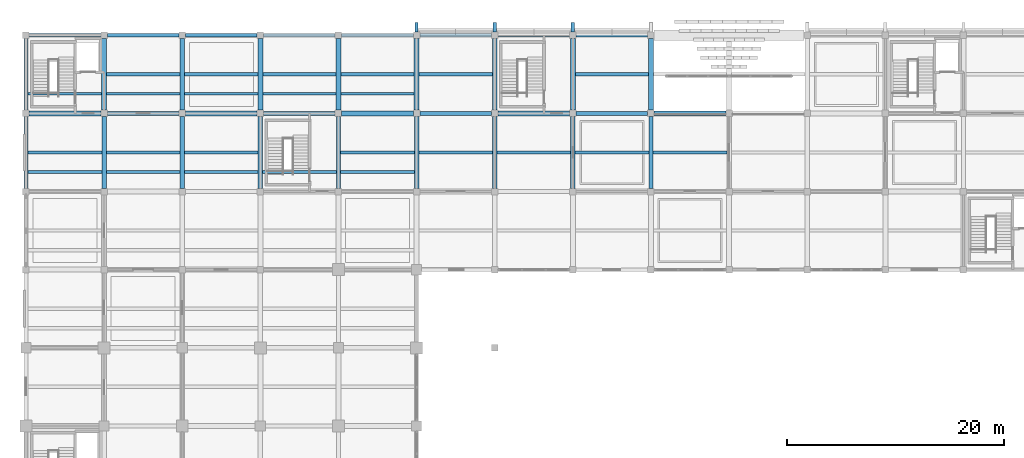
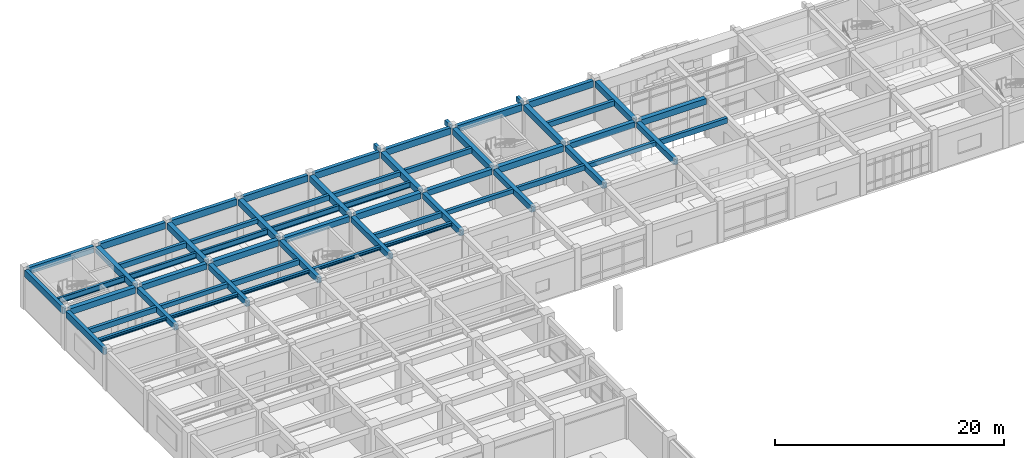
# One storey, part 19 of 81: 62 beams.
"""IFC4 building model written with IfcOpenShell, lengths in metres."""

from ifc_helpers import new_model, si_unit, direction, frame, origin, origin_2d, place, context, subcontext, project, spatial, rectangle, i_section, extrude, material, material_profile, profile_set, type_object, element, save


model = new_model("IFC4")

# Units and contexts
model_context = context("Model", 3, precision=1e-05, world=origin(), true_north=direction((0.0, 1.0)))
body_context = subcontext(model_context, "Body", "Model", "MODEL_VIEW")
ifc_project = project(units=[si_unit("LENGTHUNIT", "METRE"), si_unit("AREAUNIT", "SQUARE_METRE"), si_unit("VOLUMEUNIT", "CUBIC_METRE"), si_unit("PLANEANGLEUNIT", "RADIAN"), si_unit("MASSUNIT", "GRAM", prefix="KILO")], contexts=[model_context])

# Site, building, storey
site_placement = place(None, origin())
site = spatial("IfcSite", under=ifc_project, at=site_placement, CompositionType="ELEMENT")
building_placement = place(site_placement, origin())
building = spatial("IfcBuilding", under=site, at=building_placement, Name="Kavelor Marine Aquarium", CompositionType="ELEMENT")
storey_placement = place(building_placement, frame((0.0, 0.0, 4.679931640625)))
storey = spatial("IfcBuildingStorey", under=building, at=storey_placement, Name="L01", CompositionType="ELEMENT", Elevation=4.679931640625)

# Beams
ifc_material_1 = material(Name="Concrete C40/50", Category="concrete")
ifc_material_profile_1 = material_profile(ifc_material_1, rectangle(XDim=0.449951171875, YDim=0.64990234375, at=origin_2d()), Name="RC-BM 450x650")
ifc_profile_set_1 = profile_set([ifc_material_profile_1], Name="Concrete C40/50")
beam_type_1 = type_object("IfcBeamType", Name="BM-B3", PredefinedType="BEAM", material=ifc_profile_set_1)
for number, where, z_axis, x_axis, name in (
    (1, (3.5, 103.60009765625, 3.875), (1.0, 0.0, 0.0), (0.0, 1.0, 0.0), "bm:x:L01:L02:00_14"),
    (2, (17.89990234375, 103.60009765625, 3.875), (1.0, 0.0, 0.0), (0.0, 1.0, 0.0), "bm:x:L01:L02:02_14"),
):
    element("IfcBeam", number, at=place(storey_placement, frame(where, z_axis=z_axis, x_axis=x_axis)), inside=storey, type_object=beam_type_1, Name=name, PredefinedType="BEAM", context=body_context, shape_type="SweptSolid", body=[
        extrude(rectangle(XDim=0.449951171875, YDim=0.64990234375, at=origin_2d()), origin(), (0.0, 0.0, 1.0), 6.60009765625),
    ])
beam_1_placement = place(storey_placement, frame((32.300048828125, 103.60009765625, 3.875), z_axis=(1.0, 0.0, 0.0), x_axis=(0.0, 1.0, 0.0)))
element("IfcBeam", 3, at=beam_1_placement, inside=storey, type_object=beam_type_1, Name="bm:x:L01:L02:04_14", PredefinedType="BEAM", context=body_context, shape_type="SweptSolid", body=[
    extrude(rectangle(XDim=0.449951171875, YDim=0.64990234375, at=origin_2d()), origin(), (0.0, 0.0, 1.0), 6.599853515625),
])
beam_2_placement = place(storey_placement, frame((46.699951171875, 103.60009765625, 3.875), z_axis=(1.0, 0.0, 0.0), x_axis=(0.0, 1.0, 0.0)))
element("IfcBeam", 4, at=beam_2_placement, inside=storey, type_object=beam_type_1, Name="bm:x:L01:L02:06_14", PredefinedType="BEAM", context=body_context, shape_type="SweptSolid", body=[
    extrude(rectangle(XDim=0.449951171875, YDim=0.64990234375, at=origin_2d()), origin(), (0.0, 0.0, 1.0), 6.60009765625),
])
beam_3_placement = place(storey_placement, frame((61.10009765625, 103.60009765625, 3.875), z_axis=(1.0, 0.0, 0.0), x_axis=(0.0, 1.0, 0.0)))
element("IfcBeam", 5, at=beam_3_placement, inside=storey, type_object=beam_type_1, Name="bm:x:L01:L02:08_14", PredefinedType="BEAM", context=body_context, shape_type="SweptSolid", body=[
    extrude(rectangle(XDim=0.449951171875, YDim=0.64990234375, at=origin_2d()), origin(), (0.0, 0.0, 1.0), 6.599853515625),
])
for number, where, z_axis, x_axis, name in (
    (6, (10.39990234375, 103.89990234375, 3.875), (0.0, 1.0, 0.0), (-1.0, 0.0, 0.0), "bm:y:L01:L02:01_14"),
    (7, (17.60009765625, 103.89990234375, 3.875), (0.0, 1.0, 0.0), (-1.0, 0.0, 0.0), "bm:y:L01:L02:02_14"),
    (8, (24.800048828125, 103.89990234375, 3.875), (0.0, 1.0, 0.0), (-1.0, 0.0, 0.0), "bm:y:L01:L02:03_14"),
    (9, (32.0, 103.89990234375, 3.875), (0.0, 1.0, 0.0), (-1.0, 0.0, 0.0), "bm:y:L01:L02:04_14"),
    (10, (39.199951171875, 103.89990234375, 3.875), (0.0, 1.0, 0.0), (-1.0, 0.0, 0.0), "bm:y:L01:L02:05_14"),
    (11, (46.39990234375, 103.89990234375, 3.875), (0.0, 1.0, 0.0), (-1.0, 0.0, 0.0), "bm:y:L01:L02:06_14"),
    (12, (53.60009765625, 103.89990234375, 3.875), (0.0, 1.0, 0.0), (-1.0, 0.0, 0.0), "bm:y:L01:L02:07_14"),
    (13, (60.800048828125, 103.89990234375, 3.875), (0.0, 1.0, 0.0), (-1.0, 0.0, 0.0), "bm:y:L01:L02:08_14"),
):
    element("IfcBeam", number, at=place(storey_placement, frame(where, z_axis=z_axis, x_axis=x_axis)), inside=storey, type_object=beam_type_1, Name=name, PredefinedType="BEAM", context=body_context, shape_type="SweptSolid", body=[
        extrude(rectangle(XDim=0.449951171875, YDim=0.64990234375, at=origin_2d()), origin(), (0.0, 0.0, 1.0), 6.60009765625),
    ])
ifc_material_2 = material(Name="Concrete C40/50", Category="concrete")
ifc_material_profile_2 = material_profile(ifc_material_2, rectangle(XDim=0.39990234375, YDim=0.60009765625, at=origin_2d()), Name="RC-BM 400x600")
ifc_profile_set_2 = profile_set([ifc_material_profile_2], Name="Concrete C40/50")
beam_type_2 = type_object("IfcBeamType", Name="BM-B4", PredefinedType="BEAM", material=ifc_profile_set_2)
beam_4_placement = place(storey_placement, frame((10.699951171875, 103.60009765625, 3.900146484375), z_axis=(1.0, 0.0, 0.0), x_axis=(0.0, 1.0, 0.0)))
element("IfcBeam", 14, at=beam_4_placement, inside=storey, type_object=beam_type_2, Name="bm:x:L01:L02:01_14", PredefinedType="BEAM", context=body_context, shape_type="SweptSolid", body=[
    extrude(rectangle(XDim=0.39990234375, YDim=0.60009765625, at=origin_2d()), origin(), (0.0, 0.0, 1.0), 6.60009765625),
])
beam_5_placement = place(storey_placement, frame((25.10009765625, 103.60009765625, 3.900146484375), z_axis=(1.0, 0.0, 0.0), x_axis=(0.0, 1.0, 0.0)))
element("IfcBeam", 15, at=beam_5_placement, inside=storey, type_object=beam_type_2, Name="bm:x:L01:L02:03_14", PredefinedType="BEAM", context=body_context, shape_type="SweptSolid", body=[
    extrude(rectangle(XDim=0.39990234375, YDim=0.60009765625, at=origin_2d()), origin(), (0.0, 0.0, 1.0), 6.599853515625),
])
for number, where, z_axis, x_axis, name in (
    (16, (39.5, 103.60009765625, 3.900146484375), (1.0, 0.0, 0.0), (0.0, 1.0, 0.0), "bm:x:L01:L02:05_14"),
    (17, (53.89990234375, 103.60009765625, 3.900146484375), (1.0, 0.0, 0.0), (0.0, 1.0, 0.0), "bm:x:L01:L02:07_14"),
    (18, (10.39990234375, 96.699951171875, 3.900146484375), (0.0, 1.0, 0.0), (-1.0, 0.0, 0.0), "bm:y:L01:L02:01_13"),
    (19, (17.60009765625, 96.699951171875, 3.900146484375), (0.0, 1.0, 0.0), (-1.0, 0.0, 0.0), "bm:y:L01:L02:02_13"),
    (20, (24.800048828125, 96.699951171875, 3.900146484375), (0.0, 1.0, 0.0), (-1.0, 0.0, 0.0), "bm:y:L01:L02:03_13"),
    (21, (32.0, 96.699951171875, 3.900146484375), (0.0, 1.0, 0.0), (-1.0, 0.0, 0.0), "bm:y:L01:L02:04_13"),
    (22, (39.199951171875, 96.699951171875, 3.900146484375), (0.0, 1.0, 0.0), (-1.0, 0.0, 0.0), "bm:y:L01:L02:05_13"),
    (23, (46.39990234375, 96.699951171875, 3.900146484375), (0.0, 1.0, 0.0), (-1.0, 0.0, 0.0), "bm:y:L01:L02:06_13"),
    (24, (53.60009765625, 96.699951171875, 3.900146484375), (0.0, 1.0, 0.0), (-1.0, 0.0, 0.0), "bm:y:L01:L02:07_13"),
    (25, (60.800048828125, 96.699951171875, 3.900146484375), (0.0, 1.0, 0.0), (-1.0, 0.0, 0.0), "bm:y:L01:L02:08_13"),
):
    element("IfcBeam", number, at=place(storey_placement, frame(where, z_axis=z_axis, x_axis=x_axis)), inside=storey, type_object=beam_type_2, Name=name, PredefinedType="BEAM", context=body_context, shape_type="SweptSolid", body=[
        extrude(rectangle(XDim=0.39990234375, YDim=0.60009765625, at=origin_2d()), origin(), (0.0, 0.0, 1.0), 6.60009765625),
    ])
ifc_material_3 = material(Name="Concrete C40/50", Category="concrete")
ifc_material_profile_3 = material_profile(ifc_material_3, rectangle(XDim=0.300048828125, YDim=0.449951171875, at=origin_2d()), Name="RC-JS 300x450")
ifc_profile_set_3 = profile_set([ifc_material_profile_3], Name="Concrete C40/50")
beam_type_3 = type_object("IfcBeamType", Name="BM-JS1", PredefinedType="JOIST", material=ifc_profile_set_3)
beam_6_placement = place(storey_placement, frame((10.60009765625, 100.0, 3.97509765625), z_axis=(1.0, 0.0, 0.0), x_axis=(0.0, 1.0, 0.0)))
element("IfcBeam", 26, at=beam_6_placement, inside=storey, type_object=beam_type_3, Name="js:L01:L02:01_13", PredefinedType="JOIST", context=body_context, shape_type="SweptSolid", body=[
    extrude(rectangle(XDim=0.300048828125, YDim=0.449951171875, at=origin_2d()), origin(), (0.0, 0.0, 1.0), 6.7998046875),
])
for number, where, z_axis, x_axis, name in (
    (27, (17.824951171875, 107.199951171875, 3.97509765625), (1.0, 0.0, 0.0), (0.0, 1.0, 0.0), "js:L01:L02:02_14"),
    (28, (32.22509765625, 107.199951171875, 3.97509765625), (1.0, 0.0, 0.0), (0.0, 1.0, 0.0), "js:L01:L02:04_14"),
):
    element("IfcBeam", number, at=place(storey_placement, frame(where, z_axis=z_axis, x_axis=x_axis)), inside=storey, type_object=beam_type_3, Name=name, PredefinedType="JOIST", context=body_context, shape_type="SweptSolid", body=[
        extrude(rectangle(XDim=0.300048828125, YDim=0.449951171875, at=origin_2d()), origin(), (0.0, 0.0, 1.0), 6.75),
    ])
for number, where, z_axis, x_axis, name in (
    (29, (39.39990234375, 100.0, 3.97509765625), (1.0, 0.0, 0.0), (0.0, 1.0, 0.0), "js:L01:L02:05_13"),
    (30, (53.800048828125, 100.0, 3.97509765625), (1.0, 0.0, 0.0), (0.0, 1.0, 0.0), "js:L01:L02:07_13"),
):
    element("IfcBeam", number, at=place(storey_placement, frame(where, z_axis=z_axis, x_axis=x_axis)), inside=storey, type_object=beam_type_3, Name=name, PredefinedType="JOIST", context=body_context, shape_type="SweptSolid", body=[
        extrude(rectangle(XDim=0.300048828125, YDim=0.449951171875, at=origin_2d()), origin(), (0.0, 0.0, 1.0), 6.800048828125),
    ])
ifc_material_4 = material(Name="Concrete C40/50", Category="concrete")
ifc_material_profile_4 = material_profile(ifc_material_4, rectangle(XDim=0.300048828125, YDim=0.550048828125, at=origin_2d()), Name="RC-JS 300x550")
ifc_profile_set_4 = profile_set([ifc_material_profile_4], Name="Concrete C40/50")
beam_type_4 = type_object("IfcBeamType", Name="BM-JS2", PredefinedType="JOIST", material=ifc_profile_set_4)
beam_7_placement = place(storey_placement, frame((3.375, 100.0, 3.945068359375), z_axis=(1.0, 0.0, 0.0), x_axis=(0.0, 1.0, 0.0)))
element("IfcBeam", 31, at=beam_7_placement, inside=storey, type_object=beam_type_4, Name="js:L01:L02:00_13", PredefinedType="JOIST", context=body_context, shape_type="SweptSolid", body=[
    extrude(rectangle(XDim=0.300048828125, YDim=0.550048828125, at=origin_2d()), origin(), (0.0, 0.0, 1.0), 6.824951171875),
])
beam_8_placement = place(storey_placement, frame((10.625, 107.199951171875, 3.945068359375), z_axis=(1.0, 0.0, 0.0), x_axis=(0.0, 1.0, 0.0)))
element("IfcBeam", 32, at=beam_8_placement, inside=storey, type_object=beam_type_4, Name="js:L01:L02:01_14", PredefinedType="JOIST", context=body_context, shape_type="SweptSolid", body=[
    extrude(rectangle(XDim=0.300048828125, YDim=0.550048828125, at=origin_2d()), origin(), (0.0, 0.0, 1.0), 6.75),
])
beam_9_placement = place(storey_placement, frame((17.800048828125, 100.0, 3.945068359375), z_axis=(1.0, 0.0, 0.0), x_axis=(0.0, 1.0, 0.0)))
element("IfcBeam", 33, at=beam_9_placement, inside=storey, type_object=beam_type_4, Name="js:L01:L02:02_13", PredefinedType="JOIST", context=body_context, shape_type="SweptSolid", body=[
    extrude(rectangle(XDim=0.300048828125, YDim=0.550048828125, at=origin_2d()), origin(), (0.0, 0.0, 1.0), 6.800048828125),
])
beam_10_placement = place(storey_placement, frame((25.02490234375, 107.199951171875, 3.945068359375), z_axis=(1.0, 0.0, 0.0), x_axis=(0.0, 1.0, 0.0)))
element("IfcBeam", 34, at=beam_10_placement, inside=storey, type_object=beam_type_4, Name="js:L01:L02:03_14", PredefinedType="JOIST", context=body_context, shape_type="SweptSolid", body=[
    extrude(rectangle(XDim=0.300048828125, YDim=0.550048828125, at=origin_2d()), origin(), (0.0, 0.0, 1.0), 6.75),
])
beam_11_placement = place(storey_placement, frame((32.199951171875, 100.0, 3.945068359375), z_axis=(1.0, 0.0, 0.0), x_axis=(0.0, 1.0, 0.0)))
element("IfcBeam", 35, at=beam_11_placement, inside=storey, type_object=beam_type_4, Name="js:L01:L02:04_13", PredefinedType="JOIST", context=body_context, shape_type="SweptSolid", body=[
    extrude(rectangle(XDim=0.300048828125, YDim=0.550048828125, at=origin_2d()), origin(), (0.0, 0.0, 1.0), 6.800048828125),
])
beam_12_placement = place(storey_placement, frame((39.425048828125, 107.199951171875, 3.945068359375), z_axis=(1.0, 0.0, 0.0), x_axis=(0.0, 1.0, 0.0)))
element("IfcBeam", 36, at=beam_12_placement, inside=storey, type_object=beam_type_4, Name="js:L01:L02:05_14", PredefinedType="JOIST", context=body_context, shape_type="SweptSolid", body=[
    extrude(rectangle(XDim=0.300048828125, YDim=0.550048828125, at=origin_2d()), origin(), (0.0, 0.0, 1.0), 6.75),
])
beam_13_placement = place(storey_placement, frame((46.60009765625, 100.0, 3.945068359375), z_axis=(1.0, 0.0, 0.0), x_axis=(0.0, 1.0, 0.0)))
element("IfcBeam", 37, at=beam_13_placement, inside=storey, type_object=beam_type_4, Name="js:L01:L02:06_13", PredefinedType="JOIST", context=body_context, shape_type="SweptSolid", body=[
    extrude(rectangle(XDim=0.300048828125, YDim=0.550048828125, at=origin_2d()), origin(), (0.0, 0.0, 1.0), 6.7998046875),
])
beam_14_placement = place(storey_placement, frame((53.824951171875, 107.199951171875, 3.945068359375), z_axis=(1.0, 0.0, 0.0), x_axis=(0.0, 1.0, 0.0)))
element("IfcBeam", 38, at=beam_14_placement, inside=storey, type_object=beam_type_4, Name="js:L01:L02:07_14", PredefinedType="JOIST", context=body_context, shape_type="SweptSolid", body=[
    extrude(rectangle(XDim=0.300048828125, YDim=0.550048828125, at=origin_2d()), origin(), (0.0, 0.0, 1.0), 6.75),
])
beam_15_placement = place(storey_placement, frame((61.0, 100.0, 3.945068359375), z_axis=(1.0, 0.0, 0.0), x_axis=(0.0, 1.0, 0.0)))
element("IfcBeam", 39, at=beam_15_placement, inside=storey, type_object=beam_type_4, Name="js:L01:L02:08_13", PredefinedType="JOIST", context=body_context, shape_type="SweptSolid", body=[
    extrude(rectangle(XDim=0.300048828125, YDim=0.550048828125, at=origin_2d()), origin(), (0.0, 0.0, 1.0), 6.800048828125),
])
ifc_material_5 = material(Name="Steel S355", Category="steel")
ifc_material_profile_5 = material_profile(ifc_material_5, i_section(OverallWidth=0.300048828125, OverallDepth=0.35009765625, WebThickness=0.010009765625, FlangeThickness=0.017578125, FilletRadius=0.027099609375, at=origin_2d()), Name="HEA 360")
ifc_profile_set_5 = profile_set([ifc_material_profile_5], Name="Steel S355")
beam_type_5 = type_object("IfcBeamType", Name="BM-SB5", PredefinedType="BEAM", material=ifc_profile_set_5)
beam_16_placement = place(storey_placement, frame((3.375, 98.199951171875, 4.045166015625), z_axis=(1.0, 0.0, 0.0), x_axis=(0.0, 1.0, 0.0)))
element("IfcBeam", 40, at=beam_16_placement, inside=storey, type_object=beam_type_5, Name="bm:hoist:2:00", PredefinedType="BEAM", context=body_context, shape_type="SweptSolid", body=[
    extrude(i_section(OverallWidth=0.300048828125, OverallDepth=0.35009765625, WebThickness=0.010009765625, FlangeThickness=0.017578125, FilletRadius=0.027099609375, at=origin_2d()), origin(), (0.0, 0.0, 1.0), 6.824951171875),
])
beam_17_placement = place(storey_placement, frame((10.60009765625, 98.199951171875, 4.025146484375), z_axis=(1.0, 0.0, 0.0), x_axis=(0.0, 1.0, 0.0)))
element("IfcBeam", 41, at=beam_17_placement, inside=storey, type_object=beam_type_5, Name="bm:hoist:2:01", PredefinedType="BEAM", context=body_context, shape_type="SweptSolid", body=[
    extrude(i_section(OverallWidth=0.300048828125, OverallDepth=0.35009765625, WebThickness=0.010009765625, FlangeThickness=0.017578125, FilletRadius=0.027099609375, at=origin_2d()), origin(), (0.0, 0.0, 1.0), 6.7998046875),
])
for number, where, z_axis, x_axis, name in (
    (42, (17.800048828125, 98.199951171875, 4.045166015625), (1.0, 0.0, 0.0), (0.0, 1.0, 0.0), "bm:hoist:2:02"),
    (43, (25.0, 98.199951171875, 4.025146484375), (1.0, 0.0, 0.0), (0.0, 1.0, 0.0), "bm:hoist:2:03"),
    (44, (32.199951171875, 98.199951171875, 4.045166015625), (1.0, 0.0, 0.0), (0.0, 1.0, 0.0), "bm:hoist:2:04"),
):
    element("IfcBeam", number, at=place(storey_placement, frame(where, z_axis=z_axis, x_axis=x_axis)), inside=storey, type_object=beam_type_5, Name=name, PredefinedType="BEAM", context=body_context, shape_type="SweptSolid", body=[
        extrude(i_section(OverallWidth=0.300048828125, OverallDepth=0.35009765625, WebThickness=0.010009765625, FlangeThickness=0.017578125, FilletRadius=0.027099609375, at=origin_2d()), origin(), (0.0, 0.0, 1.0), 6.800048828125),
    ])
ifc_material_6 = material(Name="Steel S355", Category="steel")
ifc_material_profile_6 = material_profile(ifc_material_6, i_section(OverallWidth=0.22900390625, OverallDepth=0.6123046875, WebThickness=0.011962890625, FlangeThickness=0.01953125, FilletRadius=0.0126953125, at=origin_2d()), Name="UKB 610x229x125")
ifc_profile_set_6 = profile_set([ifc_material_profile_6], Name="Steel S355")
beam_type_6 = type_object("IfcBeamType", Name="BM-SB6", PredefinedType="BEAM", material=ifc_profile_set_6)
beam_18_placement = place(storey_placement, frame((3.375, 105.39990234375, 3.89404296875), z_axis=(1.0, 0.0, 0.0), x_axis=(0.0, 1.0, 0.0)))
element("IfcBeam", 45, at=beam_18_placement, inside=storey, type_object=beam_type_6, Name="bm:hoist:3:00", PredefinedType="BEAM", context=body_context, shape_type="SweptSolid", body=[
    extrude(i_section(OverallWidth=0.22900390625, OverallDepth=0.6123046875, WebThickness=0.011962890625, FlangeThickness=0.01953125, FilletRadius=0.0126953125, at=origin_2d()), origin(), (0.0, 0.0, 1.0), 6.800048828125),
])
for number, where, z_axis, x_axis, name in (
    (46, (10.625, 105.39990234375, 3.9140625), (1.0, 0.0, 0.0), (0.0, 1.0, 0.0), "bm:hoist:3:01"),
    (47, (17.824951171875, 105.39990234375, 3.89404296875), (1.0, 0.0, 0.0), (0.0, 1.0, 0.0), "bm:hoist:3:02"),
    (48, (25.02490234375, 105.39990234375, 3.9140625), (1.0, 0.0, 0.0), (0.0, 1.0, 0.0), "bm:hoist:3:03"),
    (49, (32.22509765625, 105.39990234375, 3.89404296875), (1.0, 0.0, 0.0), (0.0, 1.0, 0.0), "bm:hoist:3:04"),
):
    element("IfcBeam", number, at=place(storey_placement, frame(where, z_axis=z_axis, x_axis=x_axis)), inside=storey, type_object=beam_type_6, Name=name, PredefinedType="BEAM", context=body_context, shape_type="SweptSolid", body=[
        extrude(i_section(OverallWidth=0.22900390625, OverallDepth=0.6123046875, WebThickness=0.011962890625, FlangeThickness=0.01953125, FilletRadius=0.0126953125, at=origin_2d()), origin(), (0.0, 0.0, 1.0), 6.75),
    ])
ifc_material_7 = material(Name="Concrete C40/50", Category="concrete")
ifc_material_profile_7 = material_profile(ifc_material_7, rectangle(XDim=0.35009765625, YDim=0.699951171875, at=origin_2d()), Name="RC-SP 350x700")
ifc_profile_set_7 = profile_set([ifc_material_profile_7], Name="Concrete C40/50")
beam_type_7 = type_object("IfcBeamType", Name="BM-SP1", PredefinedType="SPANDREL", material=ifc_profile_set_7)
for number, where, z_axis, x_axis, name in (
    (50, (3.5, 110.800048828125, 3.85009765625), (1.0, 0.0, 0.0), (0.0, 1.0, 0.0), "bm:x:L01:L02:00_15"),
    (51, (10.699951171875, 110.800048828125, 3.8701171875), (1.0, 0.0, 0.0), (0.0, 1.0, 0.0), "bm:x:L01:L02:01_15"),
    (52, (17.89990234375, 110.800048828125, 3.85009765625), (1.0, 0.0, 0.0), (0.0, 1.0, 0.0), "bm:x:L01:L02:02_15"),
):
    element("IfcBeam", number, at=place(storey_placement, frame(where, z_axis=z_axis, x_axis=x_axis)), inside=storey, type_object=beam_type_7, Name=name, PredefinedType="SPANDREL", context=body_context, shape_type="SweptSolid", body=[
        extrude(rectangle(XDim=0.35009765625, YDim=0.699951171875, at=origin_2d()), origin(), (0.0, 0.0, 1.0), 6.60009765625),
    ])
for number, where, z_axis, x_axis, name in (
    (53, (25.10009765625, 110.800048828125, 3.8701171875), (1.0, 0.0, 0.0), (0.0, 1.0, 0.0), "bm:x:L01:L02:03_15"),
    (54, (32.300048828125, 110.800048828125, 3.85009765625), (1.0, 0.0, 0.0), (0.0, 1.0, 0.0), "bm:x:L01:L02:04_15"),
):
    element("IfcBeam", number, at=place(storey_placement, frame(where, z_axis=z_axis, x_axis=x_axis)), inside=storey, type_object=beam_type_7, Name=name, PredefinedType="SPANDREL", context=body_context, shape_type="SweptSolid", body=[
        extrude(rectangle(XDim=0.35009765625, YDim=0.699951171875, at=origin_2d()), origin(), (0.0, 0.0, 1.0), 6.599853515625),
    ])
for number, where, z_axis, x_axis, name in (
    (55, (39.5, 110.800048828125, 3.8701171875), (1.0, 0.0, 0.0), (0.0, 1.0, 0.0), "bm:x:L01:L02:05_15"),
    (56, (46.699951171875, 110.800048828125, 3.85009765625), (1.0, 0.0, 0.0), (0.0, 1.0, 0.0), "bm:x:L01:L02:06_15"),
    (57, (53.89990234375, 110.800048828125, 3.8701171875), (1.0, 0.0, 0.0), (0.0, 1.0, 0.0), "bm:x:L01:L02:07_15"),
    (58, (3.199951171875, 96.699951171875, 3.8701171875), (0.0, 1.0, 0.0), (-1.0, 0.0, 0.0), "bm:y:L01:L02:00_13"),
    (59, (3.199951171875, 103.89990234375, 3.85009765625), (0.0, 1.0, 0.0), (-1.0, 0.0, 0.0), "bm:y:L01:L02:00_14"),
):
    element("IfcBeam", number, at=place(storey_placement, frame(where, z_axis=z_axis, x_axis=x_axis)), inside=storey, type_object=beam_type_7, Name=name, PredefinedType="SPANDREL", context=body_context, shape_type="SweptSolid", body=[
        extrude(rectangle(XDim=0.35009765625, YDim=0.699951171875, at=origin_2d()), origin(), (0.0, 0.0, 1.0), 6.60009765625),
    ])
ifc_material_8 = material(Name="Concrete C40/50", Category="concrete")
ifc_material_profile_8 = material_profile(ifc_material_8, rectangle(XDim=0.300048828125, YDim=0.550048828125, at=origin_2d()), Name="RC-SP 300x550")
ifc_profile_set_8 = profile_set([ifc_material_profile_8], Name="Concrete C40/50")
beam_type_8 = type_object("IfcBeamType", Name="BM-SP2", PredefinedType="SPANDREL", material=ifc_profile_set_8)
for number, where, z_axis, x_axis, name in (
    (60, (39.199951171875, 111.10009765625, 3.925048828125), (0.0, 1.0, 0.0), (-1.0, 0.0, 0.0), "bm:out:n:L01:L02:05"),
    (61, (46.39990234375, 111.10009765625, 3.925048828125), (0.0, 1.0, 0.0), (-1.0, 0.0, 0.0), "bm:out:n:L01:L02:06"),
    (62, (53.60009765625, 111.10009765625, 3.925048828125), (0.0, 1.0, 0.0), (-1.0, 0.0, 0.0), "bm:out:n:L01:L02:07"),
):
    element("IfcBeam", number, at=place(storey_placement, frame(where, z_axis=z_axis, x_axis=x_axis)), inside=storey, type_object=beam_type_8, Name=name, PredefinedType="SPANDREL", context=body_context, shape_type="SweptSolid", body=[
        extrude(rectangle(XDim=0.300048828125, YDim=0.550048828125, at=origin_2d()), origin(), (0.0, 0.0, 1.0), 0.85986328125),
    ])

save(model, "model.ifc")
